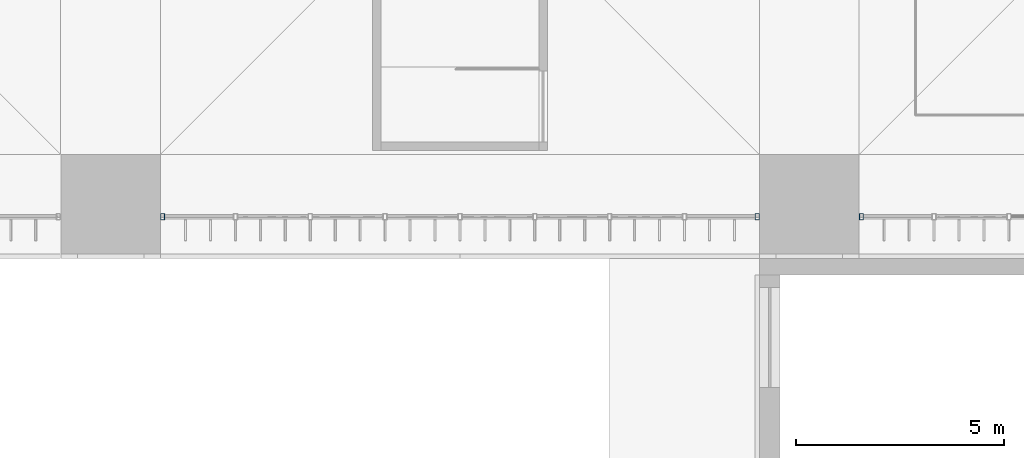
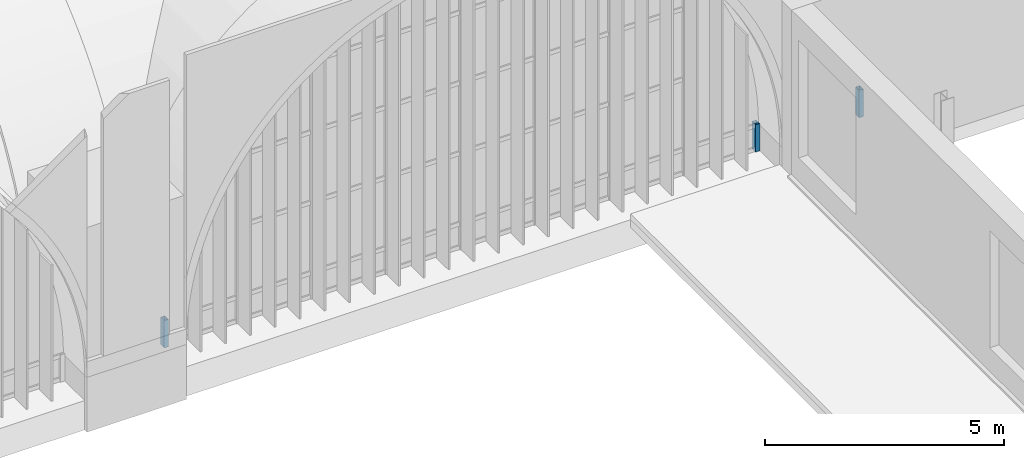
# One storey, part 64 of 169: 3 members, 2 elements without a shape of their own.
"""IFC4 building model written with IfcOpenShell, lengths in metres."""

from ifc_helpers import new_model, si_unit, direction, frame, origin, origin_2d, place, context, subcontext, project, spatial, hollow_rectangle, extrude, material, layer, layer_set, material_profile, profile_set, type_object, element, aggregate, save


model = new_model("IFC4")

# Units and contexts
model_context = context("Model", 3, precision=1e-05, world=origin(), true_north=direction((0.0, 1.0)))
body_context = subcontext(model_context, "Body", "Model", "MODEL_VIEW")
ifc_project = project(units=[si_unit("LENGTHUNIT", "METRE"), si_unit("AREAUNIT", "SQUARE_METRE"), si_unit("VOLUMEUNIT", "CUBIC_METRE"), si_unit("PLANEANGLEUNIT", "RADIAN"), si_unit("MASSUNIT", "GRAM", prefix="KILO")], contexts=[model_context])

# Site, building, storey
site_placement = place(None, origin())
site = spatial("IfcSite", under=ifc_project, at=site_placement, CompositionType="ELEMENT")
building_placement = place(site_placement, origin())
building = spatial("IfcBuilding", under=site, at=building_placement, Name="Verrick Yard Athletic Hall", CompositionType="ELEMENT")
storey_placement = place(building_placement, frame((0.0, 0.0, 4.39990234375)))
storey = spatial("IfcBuildingStorey", under=building, at=storey_placement, Name="L01", CompositionType="ELEMENT", Elevation=4.39990234375)

# Curtain wall, members
ifc_material_1 = material(Name="Aluminium and glass curtain wall", Category="aluminium")
ifc_layer = layer(ifc_material_1, 0.14990234375)
ifc_layer_set = layer_set([ifc_layer], Name="Arcade glazing arch")
curtain_wall_type = type_object("IfcCurtainWallType", Name="Arcade glazing arch", PredefinedType="NOTDEFINED", material=ifc_layer_set)
curtain_wall_1_placement = place(storey_placement, origin())
curtain_wall_1 = element("IfcCurtainWall", 1, at=curtain_wall_1_placement, inside=storey, type_object=curtain_wall_type, Name="Arcade glazing S3", PredefinedType="NOTDEFINED")
ifc_material_2 = material(Name="Structural steel HSS Class C 350W (CSA G40.20/G40.21)", Category="steel")
ifc_material_profile = material_profile(ifc_material_2, hollow_rectangle(XDim=0.1015625, YDim=0.15234375, WallThickness=0.008056640625, at=origin_2d()), Name="HSS152x102x7.9")
ifc_profile_set = profile_set([ifc_material_profile], Name="Structural steel HSS Class C 350W (CSA G40.20/G40.21)")
member_type = type_object("IfcMemberType", Name="Curtain wall mullion HSS152x102x7.9", PredefinedType="MULLION", material=ifc_profile_set)
member_1_placement = place(storey_placement, frame((74.851318359375, 18.89990234375, 0.0), z_axis=(0.0, 0.0, 1.0), x_axis=(1.0, 0.0, 0.0)))
member_1 = element("IfcMember", 2, at=member_1_placement, type_object=member_type, Name="Arcade glazing S3 mullion 1", PredefinedType="MULLION", context=body_context, shape_type="SweptSolid", body=[
    extrude(hollow_rectangle(XDim=0.1015625, YDim=0.15234375, WallThickness=0.008056640625, at=origin_2d()), origin(), (0.0, 0.0, 1.0), 0.700927734375),
])
member_2_placement = place(storey_placement, frame((89.148681640625, 18.89990234375, 0.0), z_axis=(0.0, 0.0, 1.0), x_axis=(1.0, 0.0, 0.0)))
member_2 = element("IfcMember", 3, at=member_2_placement, type_object=member_type, Name="Arcade glazing S3 mullion 9", PredefinedType="MULLION", context=body_context, shape_type="SweptSolid", body=[
    extrude(hollow_rectangle(XDim=0.1015625, YDim=0.15234375, WallThickness=0.008056640625, at=origin_2d()), origin(), (0.0, 0.0, 1.0), 0.700927734375),
])
aggregate(curtain_wall_1, [member_1, member_2])

# Curtain wall, member
curtain_wall_2_placement = place(storey_placement, origin())
curtain_wall_2 = element("IfcCurtainWall", 4, at=curtain_wall_2_placement, inside=storey, type_object=curtain_wall_type, Name="Arcade glazing S4", PredefinedType="NOTDEFINED")
member_3_placement = place(storey_placement, frame((91.6513671875, 18.89990234375, 0.0), z_axis=(0.0, 0.0, 1.0), x_axis=(1.0, 0.0, 0.0)))
member_3 = element("IfcMember", 5, at=member_3_placement, type_object=member_type, Name="Arcade glazing S4 mullion 1", PredefinedType="MULLION", context=body_context, shape_type="SweptSolid", body=[
    extrude(hollow_rectangle(XDim=0.1015625, YDim=0.15234375, WallThickness=0.008056640625, at=origin_2d()), origin(), (0.0, 0.0, 1.0), 0.700927734375),
])
aggregate(curtain_wall_2, [member_3])

save(model, "model.ifc")
